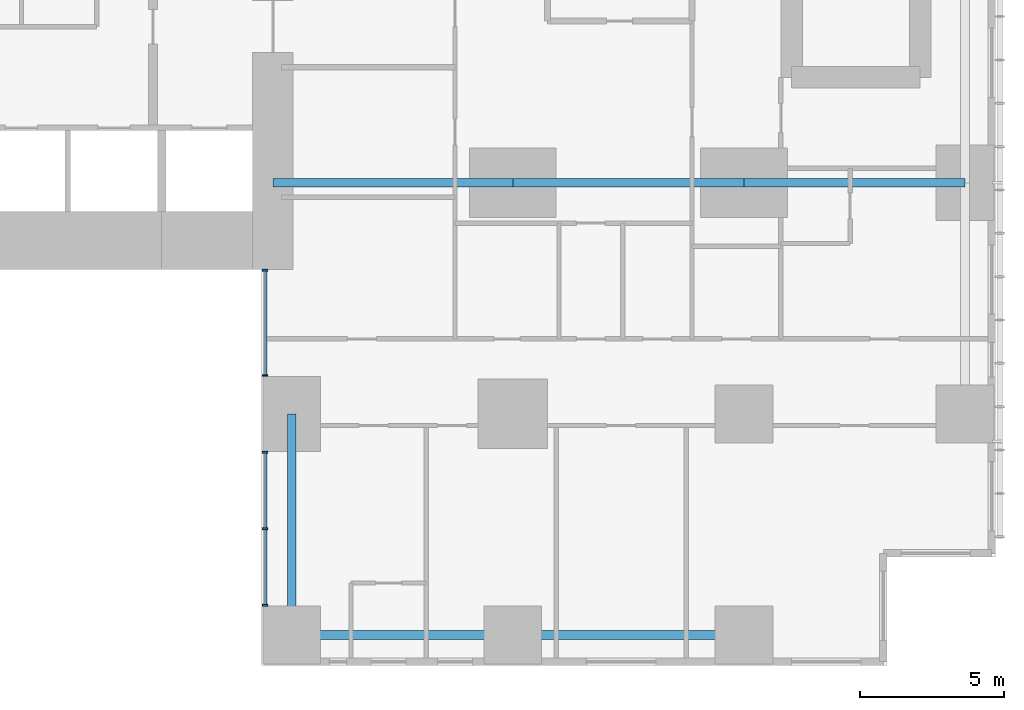
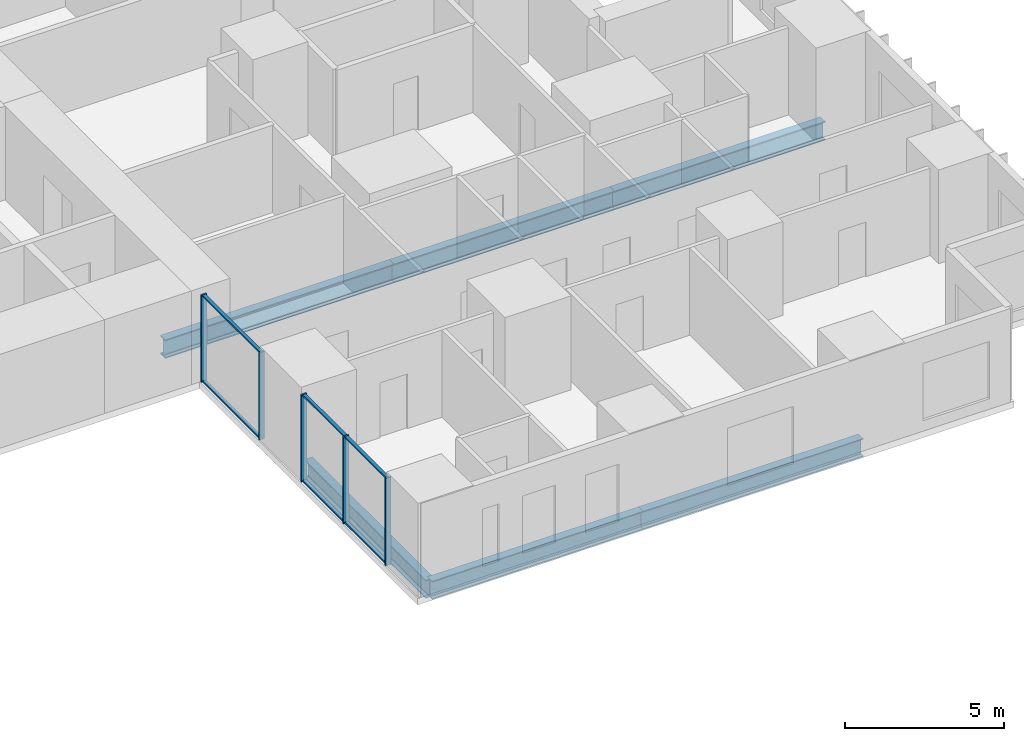
# One storey, part 3 of 20: 11 members, 6 beams, 2 elements without a shape of their own.
"""IFC4 building model written with IfcOpenShell, lengths in metres."""

from ifc_helpers import new_model, si_unit, direction, frame, origin, origin_2d, place, context, subcontext, project, spatial, rectangle, i_section, extrude, material, layer, layer_set, material_profile, profile_set, type_object, element, aggregate, save


model = new_model("IFC4")

# Units and contexts
model_context = context("Model", 3, precision=1e-05, world=origin(), true_north=direction((0.0, 1.0)))
body_context = subcontext(model_context, "Body", "Model", "MODEL_VIEW")
ifc_project = project(units=[si_unit("LENGTHUNIT", "METRE"), si_unit("AREAUNIT", "SQUARE_METRE"), si_unit("VOLUMEUNIT", "CUBIC_METRE"), si_unit("PLANEANGLEUNIT", "RADIAN"), si_unit("MASSUNIT", "GRAM", prefix="KILO")], contexts=[model_context])

# Site, building, storey
site_placement = place(None, origin())
site = spatial("IfcSite", under=ifc_project, at=site_placement, CompositionType="ELEMENT")
building_placement = place(site_placement, origin())
building = spatial("IfcBuilding", under=site, at=building_placement, Name="Cleftline Residences", CompositionType="ELEMENT")
storey_placement = place(building_placement, frame((0.0, 0.0, 114.199951171875)))
storey = spatial("IfcBuildingStorey", under=building, at=storey_placement, Name="L29", CompositionType="ELEMENT", Elevation=114.199951171875)

# Beams
ifc_material_1 = material(Name="Steel S355", Category="steel")
ifc_material_profile_1 = material_profile(ifc_material_1, i_section(OverallWidth=0.300048828125, OverallDepth=0.699951171875, WebThickness=0.01708984375, FlangeThickness=0.031982421875, FilletRadius=0.027099609375, at=origin_2d()))
ifc_profile_set_1 = profile_set([ifc_material_profile_1], Name="Steel S355")
beam_type_1 = type_object("IfcBeamType", Name="BEAM HEB 700", PredefinedType="BEAM", material=ifc_profile_set_1)
beam_1_placement = place(storey_placement, frame((58.0, 0.35009765625, -0.599853515625), z_axis=(-1.0, 0.0, 0.0), x_axis=(0.0, -1.0, 0.0)))
element("IfcBeam", 1, at=beam_1_placement, inside=storey, type_object=beam_type_1, Name="Edge beam", PredefinedType="BEAM", context=body_context, shape_type="SweptSolid", body=[
    extrude(i_section(OverallWidth=0.300048828125, OverallDepth=0.699951171875, WebThickness=0.01708984375, FlangeThickness=0.031982421875, FilletRadius=0.027099609375, at=origin_2d()), origin(), (0.0, 0.0, 1.0), 8.0),
])
for number, where, z_axis, x_axis, name in (
    (2, (50.0, 0.35009765625, -0.599853515625), (-1.0, 0.0, 0.0), (0.0, -1.0, 0.0), "Edge beam"),
    (3, (42.35009765625, 0.35009765625, -0.599853515625), (0.0, 1.0, 0.0), (-1.0, 0.0, 0.0), "Edge beam"),
):
    element("IfcBeam", number, at=place(storey_placement, frame(where, z_axis=z_axis, x_axis=x_axis)), inside=storey, type_object=beam_type_1, Name=name, PredefinedType="BEAM", context=body_context, shape_type="SweptSolid", body=[
        extrude(i_section(OverallWidth=0.300048828125, OverallDepth=0.699951171875, WebThickness=0.01708984375, FlangeThickness=0.031982421875, FilletRadius=0.027099609375, at=origin_2d()), origin(), (0.0, 0.0, 1.0), 7.64990234375),
    ])
ifc_material_2 = material(Name="Steel S355", Category="steel")
ifc_material_profile_2 = material_profile(ifc_material_2, i_section(OverallWidth=0.303955078125, OverallDepth=0.716064453125, WebThickness=0.02099609375, FlangeThickness=0.0400390625, FilletRadius=0.027099609375, at=origin_2d()))
ifc_profile_set_2 = profile_set([ifc_material_profile_2], Name="Steel S355")
beam_type_2 = type_object("IfcBeamType", Name="BEAM HEM 700", PredefinedType="BEAM", material=ifc_profile_set_2)
beam_2_placement = place(storey_placement, frame((65.64990234375, 16.0, -0.60791015625), z_axis=(-1.0, 0.0, 0.0), x_axis=(0.0, -1.0, 0.0)))
element("IfcBeam", 4, at=beam_2_placement, inside=storey, type_object=beam_type_2, Name="Band beam", PredefinedType="BEAM", context=body_context, shape_type="SweptSolid", body=[
    extrude(i_section(OverallWidth=0.303955078125, OverallDepth=0.716064453125, WebThickness=0.02099609375, FlangeThickness=0.0400390625, FilletRadius=0.027099609375, at=origin_2d()), origin(), (0.0, 0.0, 1.0), 7.64990234375),
])
beam_3_placement = place(storey_placement, frame((58.0, 16.0, -0.60791015625), z_axis=(-1.0, 0.0, 0.0), x_axis=(0.0, -1.0, 0.0)))
element("IfcBeam", 5, at=beam_3_placement, inside=storey, type_object=beam_type_2, Name="Band beam", PredefinedType="BEAM", context=body_context, shape_type="SweptSolid", body=[
    extrude(i_section(OverallWidth=0.303955078125, OverallDepth=0.716064453125, WebThickness=0.02099609375, FlangeThickness=0.0400390625, FilletRadius=0.027099609375, at=origin_2d()), origin(), (0.0, 0.0, 1.0), 8.0),
])
beam_4_placement = place(storey_placement, frame((50.0, 16.0, -0.60791015625), z_axis=(-1.0, 0.0, 0.0), x_axis=(0.0, -1.0, 0.0)))
element("IfcBeam", 6, at=beam_4_placement, inside=storey, type_object=beam_type_2, Name="Band beam", PredefinedType="BEAM", context=body_context, shape_type="SweptSolid", body=[
    extrude(i_section(OverallWidth=0.303955078125, OverallDepth=0.716064453125, WebThickness=0.02099609375, FlangeThickness=0.0400390625, FilletRadius=0.027099609375, at=origin_2d()), origin(), (0.0, 0.0, 1.0), 8.300048828125),
])

# Curtain wall, members
ifc_material_3 = material(Name="Aluminium framed curtain wall", Category="aluminium")
ifc_layer = layer(ifc_material_3, 0.199951171875)
ifc_layer_set = layer_set([ifc_layer], Name="CW1 CLEFT GLAZING")
curtain_wall_type = type_object("IfcCurtainWallType", Name="CW1 CLEFT GLAZING", PredefinedType="NOTDEFINED", material=ifc_layer_set)
curtain_wall_1_placement = place(storey_placement, origin())
curtain_wall_1 = element("IfcCurtainWall", 7, at=curtain_wall_1_placement, inside=storey, type_object=curtain_wall_type, Name="Curtain wall CW1", PredefinedType="NOTDEFINED")
ifc_material_4 = material(Name="Aluminium mullion", Category="aluminium")
ifc_material_profile_3 = material_profile(ifc_material_4, rectangle(XDim=0.199951171875, YDim=0.06005859375, at=origin_2d()))
ifc_profile_set_3 = profile_set([ifc_material_profile_3], Name="Aluminium mullion")
member_type_1 = type_object("IfcMemberType", Name="CW1 MULLION", PredefinedType="MULLION", material=ifc_profile_set_3)
member_1_placement = place(storey_placement, frame((41.425048828125, 12.969970703125, 0.0), z_axis=(0.0, 0.0, 1.0), x_axis=(1.0, 0.0, 0.0)))
member_1 = element("IfcMember", 8, at=member_1_placement, type_object=member_type_1, Name="CW1 mullion 1", PredefinedType="MULLION", context=body_context, shape_type="SweptSolid", body=[
    extrude(rectangle(XDim=0.199951171875, YDim=0.06005859375, at=origin_2d()), origin(), (0.0, 0.0, 1.0), 3.35009765625),
])
member_2_placement = place(storey_placement, frame((41.425048828125, 9.330078125, 0.0), z_axis=(0.0, 0.0, 1.0), x_axis=(1.0, 0.0, 0.0)))
member_2 = element("IfcMember", 9, at=member_2_placement, type_object=member_type_1, Name="CW1 mullion 2", PredefinedType="MULLION", context=body_context, shape_type="SweptSolid", body=[
    extrude(rectangle(XDim=0.199951171875, YDim=0.06005859375, at=origin_2d()), origin(), (0.0, 0.0, 1.0), 3.35009765625),
])

curtain_wall_2_placement = place(storey_placement, origin())
curtain_wall_2 = element("IfcCurtainWall", 10, at=curtain_wall_2_placement, inside=storey, type_object=curtain_wall_type, Name="Curtain wall CW1", PredefinedType="NOTDEFINED")
member_3_placement = place(storey_placement, frame((41.425048828125, 6.669921875, 0.0), z_axis=(0.0, 0.0, 1.0), x_axis=(1.0, 0.0, 0.0)))
member_3 = element("IfcMember", 11, at=member_3_placement, type_object=member_type_1, Name="CW1 mullion 1", PredefinedType="MULLION", context=body_context, shape_type="SweptSolid", body=[
    extrude(rectangle(XDim=0.199951171875, YDim=0.06005859375, at=origin_2d()), origin(), (0.0, 0.0, 1.0), 3.35009765625),
])
member_4_placement = place(storey_placement, frame((41.425048828125, 4.02490234375, 0.0), z_axis=(0.0, 0.0, 1.0), x_axis=(1.0, 0.0, 0.0)))
member_4 = element("IfcMember", 12, at=member_4_placement, type_object=member_type_1, Name="CW1 mullion 2", PredefinedType="MULLION", context=body_context, shape_type="SweptSolid", body=[
    extrude(rectangle(XDim=0.199951171875, YDim=0.06005859375, at=origin_2d()), origin(), (0.0, 0.0, 1.0), 3.35009765625),
])
member_5_placement = place(storey_placement, frame((41.425048828125, 1.3798828125, 0.0), z_axis=(0.0, 0.0, 1.0), x_axis=(1.0, 0.0, 0.0)))
member_5 = element("IfcMember", 13, at=member_5_placement, type_object=member_type_1, Name="CW1 mullion 3", PredefinedType="MULLION", context=body_context, shape_type="SweptSolid", body=[
    extrude(rectangle(XDim=0.199951171875, YDim=0.06005859375, at=origin_2d()), origin(), (0.0, 0.0, 1.0), 3.35009765625),
])

# Member
ifc_material_5 = material(Name="Aluminium transom", Category="aluminium")
ifc_material_profile_4 = material_profile(ifc_material_5, rectangle(XDim=0.1201171875, YDim=0.06005859375, at=origin_2d()))
ifc_profile_set_4 = profile_set([ifc_material_profile_4], Name="Aluminium transom")
member_type_2 = type_object("IfcMemberType", Name="CW1 TRANSOM", PredefinedType="USERDEFINED", material=ifc_profile_set_4)
member_6_placement = place(storey_placement, frame((41.425048828125, 12.93994140625, 0.030029296875), z_axis=(0.0, -1.0, 0.0), x_axis=(1.0, 0.0, 0.0)))
member_6 = element("IfcMember", 14, at=member_6_placement, type_object=member_type_2, Name="CW1 transom 1.1", ObjectType="TRANSOM", PredefinedType="USERDEFINED", context=body_context, shape_type="SweptSolid", body=[
    extrude(rectangle(XDim=0.1201171875, YDim=0.06005859375, at=origin_2d()), origin(), (0.0, 0.0, 1.0), 3.579833984375),
])

member_7_placement = place(storey_placement, frame((41.425048828125, 12.93994140625, 3.320068359375), z_axis=(0.0, -1.0, 0.0), x_axis=(1.0, 0.0, 0.0)))
member_7 = element("IfcMember", 15, at=member_7_placement, type_object=member_type_2, Name="CW1 transom 1.2", ObjectType="TRANSOM", PredefinedType="USERDEFINED", context=body_context, shape_type="SweptSolid", body=[
    extrude(rectangle(XDim=0.1201171875, YDim=0.06005859375, at=origin_2d()), origin(), (0.0, 0.0, 1.0), 3.579833984375),
])

aggregate(curtain_wall_1, [member_1, member_2, member_6, member_7])

member_8_placement = place(storey_placement, frame((41.425048828125, 6.639892578125, 0.030029296875), z_axis=(0.0, -1.0, 0.0), x_axis=(1.0, 0.0, 0.0)))
member_8 = element("IfcMember", 16, at=member_8_placement, type_object=member_type_2, Name="CW1 transom 1.1", ObjectType="TRANSOM", PredefinedType="USERDEFINED", context=body_context, shape_type="SweptSolid", body=[
    extrude(rectangle(XDim=0.1201171875, YDim=0.06005859375, at=origin_2d()), origin(), (0.0, 0.0, 1.0), 2.5849609375),
])

member_9_placement = place(storey_placement, frame((41.425048828125, 6.639892578125, 3.320068359375), z_axis=(0.0, -1.0, 0.0), x_axis=(1.0, 0.0, 0.0)))
member_9 = element("IfcMember", 17, at=member_9_placement, type_object=member_type_2, Name="CW1 transom 1.2", ObjectType="TRANSOM", PredefinedType="USERDEFINED", context=body_context, shape_type="SweptSolid", body=[
    extrude(rectangle(XDim=0.1201171875, YDim=0.06005859375, at=origin_2d()), origin(), (0.0, 0.0, 1.0), 2.5849609375),
])

member_10_placement = place(storey_placement, frame((41.425048828125, 3.9951171875, 0.030029296875), z_axis=(0.0, -1.0, 0.0), x_axis=(1.0, 0.0, 0.0)))
member_10 = element("IfcMember", 18, at=member_10_placement, type_object=member_type_2, Name="CW1 transom 2.1", ObjectType="TRANSOM", PredefinedType="USERDEFINED", context=body_context, shape_type="SweptSolid", body=[
    extrude(rectangle(XDim=0.1201171875, YDim=0.06005859375, at=origin_2d()), origin(), (0.0, 0.0, 1.0), 2.585205078125),
])

member_11_placement = place(storey_placement, frame((41.425048828125, 3.9951171875, 3.320068359375), z_axis=(0.0, -1.0, 0.0), x_axis=(1.0, 0.0, 0.0)))
member_11 = element("IfcMember", 19, at=member_11_placement, type_object=member_type_2, Name="CW1 transom 2.2", ObjectType="TRANSOM", PredefinedType="USERDEFINED", context=body_context, shape_type="SweptSolid", body=[
    extrude(rectangle(XDim=0.1201171875, YDim=0.06005859375, at=origin_2d()), origin(), (0.0, 0.0, 1.0), 2.585205078125),
])

aggregate(curtain_wall_2, [member_3, member_4, member_5, member_8, member_9, member_10, member_11])

save(model, "model.ifc")
